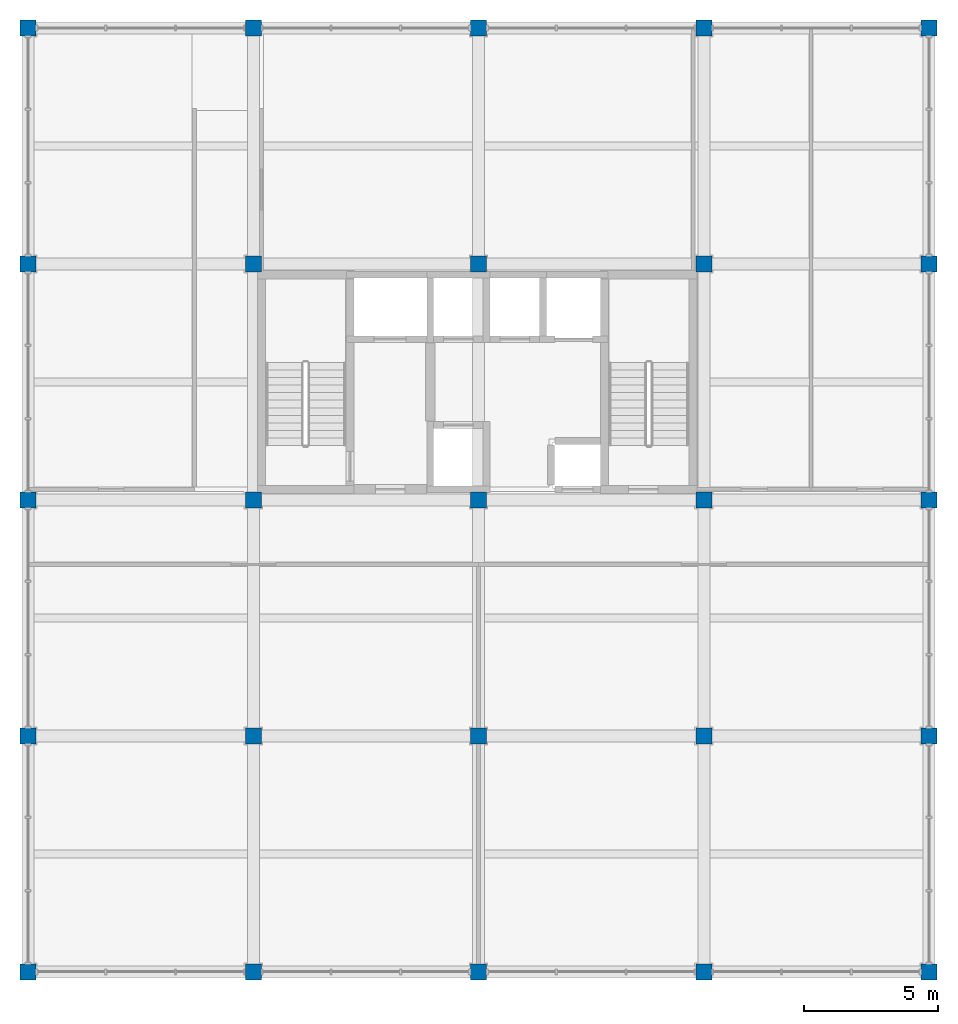
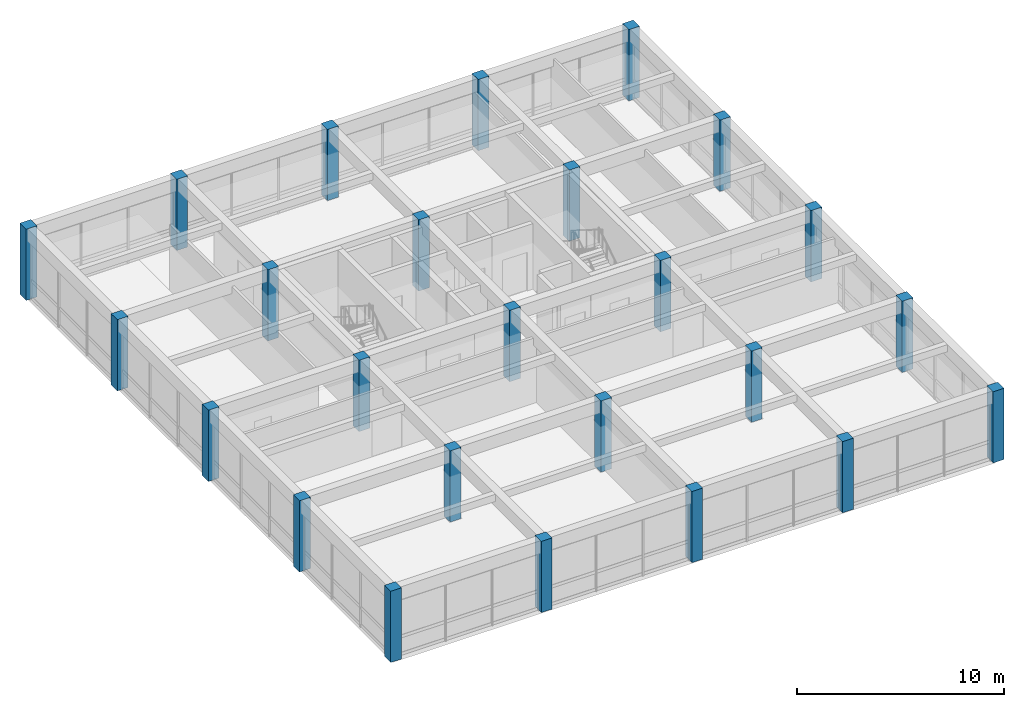
# One storey, part 1 of 14: 25 columns.
"""IFC4 building model written with IfcOpenShell, lengths in metres."""

from ifc_helpers import new_model, si_unit, direction, frame, origin, origin_2d, place, context, subcontext, project, spatial, rectangle, extrude, material, material_profile, profile_set, type_object, element, save


model = new_model("IFC4")

# Units and contexts
model_context = context("Model", 3, precision=1e-05, world=origin(), true_north=direction((0.0, 1.0)))
body_context = subcontext(model_context, "Body", "Model", "MODEL_VIEW")
ifc_project = project(units=[si_unit("LENGTHUNIT", "METRE"), si_unit("AREAUNIT", "SQUARE_METRE"), si_unit("VOLUMEUNIT", "CUBIC_METRE"), si_unit("PLANEANGLEUNIT", "RADIAN"), si_unit("MASSUNIT", "GRAM", prefix="KILO")], contexts=[model_context])

# Site, building, storey
site_placement = place(None, origin())
site = spatial("IfcSite", under=ifc_project, at=site_placement, CompositionType="ELEMENT")
building_placement = place(site_placement, origin())
building = spatial("IfcBuilding", under=site, at=building_placement, Name="Kemercrest Conservatory and Botanical Centre", CompositionType="ELEMENT")
storey_placement = place(building_placement, frame((0.0, 0.0, 63.800048828125)))
storey = spatial("IfcBuildingStorey", under=building, at=storey_placement, Name="L16", CompositionType="ELEMENT", Elevation=63.800048828125)

# Columns
ifc_material = material(Name="Concrete C40/50", Category="concrete")
ifc_material_profile = material_profile(ifc_material, rectangle(XDim=0.60009765625, YDim=0.60009765625, at=origin_2d()), Name="RC 600x600")
ifc_profile_set = profile_set([ifc_material_profile], Name="Concrete C40/50")
column_type = type_object("IfcColumnType", Name="C-RC60", PredefinedType="COLUMN", material=ifc_profile_set)
for number, where, z_axis, x_axis, name in (
    (1, (142.39990234375, 87.199951171875, 0.0), (0.0, 0.0, 1.0), (1.0, 0.0, 0.0), "Tower column C-RC60 17/K"),
    (2, (142.39990234375, 96.0, 0.0), (0.0, 0.0, 1.0), (1.0, 0.0, 0.0), "Tower column C-RC60 17/L"),
    (3, (142.39990234375, 104.800048828125, 0.0), (0.0, 0.0, 1.0), (1.0, 0.0, 0.0), "Tower column C-RC60 17/M"),
    (4, (142.39990234375, 113.60009765625, 0.0), (0.0, 0.0, 1.0), (1.0, 0.0, 0.0), "Tower column C-RC60 17/N"),
    (5, (142.39990234375, 122.39990234375, 0.0), (0.0, 0.0, 1.0), (1.0, 0.0, 0.0), "Tower column C-RC60 17/P"),
    (6, (150.800048828125, 87.199951171875, 0.0), (0.0, 0.0, 1.0), (1.0, 0.0, 0.0), "Tower column C-RC60 18/K"),
    (7, (150.800048828125, 96.0, 0.0), (0.0, 0.0, 1.0), (1.0, 0.0, 0.0), "Tower column C-RC60 18/L"),
    (8, (150.800048828125, 104.800048828125, 0.0), (0.0, 0.0, 1.0), (1.0, 0.0, 0.0), "Tower column C-RC60 18/M"),
    (9, (150.800048828125, 113.60009765625, 0.0), (0.0, 0.0, 1.0), (1.0, 0.0, 0.0), "Tower column C-RC60 18/N"),
    (10, (150.800048828125, 122.39990234375, 0.0), (0.0, 0.0, 1.0), (1.0, 0.0, 0.0), "Tower column C-RC60 18/P"),
    (11, (159.199951171875, 87.199951171875, 0.0), (0.0, 0.0, 1.0), (1.0, 0.0, 0.0), "Tower column C-RC60 19/K"),
    (12, (159.199951171875, 96.0, 0.0), (0.0, 0.0, 1.0), (1.0, 0.0, 0.0), "Tower column C-RC60 19/L"),
    (13, (159.199951171875, 104.800048828125, 0.0), (0.0, 0.0, 1.0), (1.0, 0.0, 0.0), "Tower column C-RC60 19/M"),
    (14, (159.199951171875, 113.60009765625, 0.0), (0.0, 0.0, 1.0), (1.0, 0.0, 0.0), "Tower column C-RC60 19/N"),
    (15, (159.199951171875, 122.39990234375, 0.0), (0.0, 0.0, 1.0), (1.0, 0.0, 0.0), "Tower column C-RC60 19/P"),
    (16, (167.60009765625, 87.199951171875, 0.0), (0.0, 0.0, 1.0), (1.0, 0.0, 0.0), "Tower column C-RC60 20/K"),
    (17, (167.60009765625, 96.0, 0.0), (0.0, 0.0, 1.0), (1.0, 0.0, 0.0), "Tower column C-RC60 20/L"),
    (18, (167.60009765625, 104.800048828125, 0.0), (0.0, 0.0, 1.0), (1.0, 0.0, 0.0), "Tower column C-RC60 20/M"),
    (19, (167.60009765625, 113.60009765625, 0.0), (0.0, 0.0, 1.0), (1.0, 0.0, 0.0), "Tower column C-RC60 20/N"),
    (20, (167.60009765625, 122.39990234375, 0.0), (0.0, 0.0, 1.0), (1.0, 0.0, 0.0), "Tower column C-RC60 20/P"),
    (21, (176.0, 87.199951171875, 0.0), (0.0, 0.0, 1.0), (1.0, 0.0, 0.0), "Tower column C-RC60 21/K"),
    (22, (176.0, 96.0, 0.0), (0.0, 0.0, 1.0), (1.0, 0.0, 0.0), "Tower column C-RC60 21/L"),
    (23, (176.0, 104.800048828125, 0.0), (0.0, 0.0, 1.0), (1.0, 0.0, 0.0), "Tower column C-RC60 21/M"),
    (24, (176.0, 113.60009765625, 0.0), (0.0, 0.0, 1.0), (1.0, 0.0, 0.0), "Tower column C-RC60 21/N"),
    (25, (176.0, 122.39990234375, 0.0), (0.0, 0.0, 1.0), (1.0, 0.0, 0.0), "Tower column C-RC60 21/P"),
):
    element("IfcColumn", number, at=place(storey_placement, frame(where, z_axis=z_axis, x_axis=x_axis)), inside=storey, type_object=column_type, Name=name, PredefinedType="COLUMN", context=body_context, shape_type="SweptSolid", body=[
        extrude(rectangle(XDim=0.60009765625, YDim=0.60009765625, at=origin_2d()), origin(), (0.0, 0.0, 1.0), 4.199951171875),
    ])

save(model, "model.ifc")
